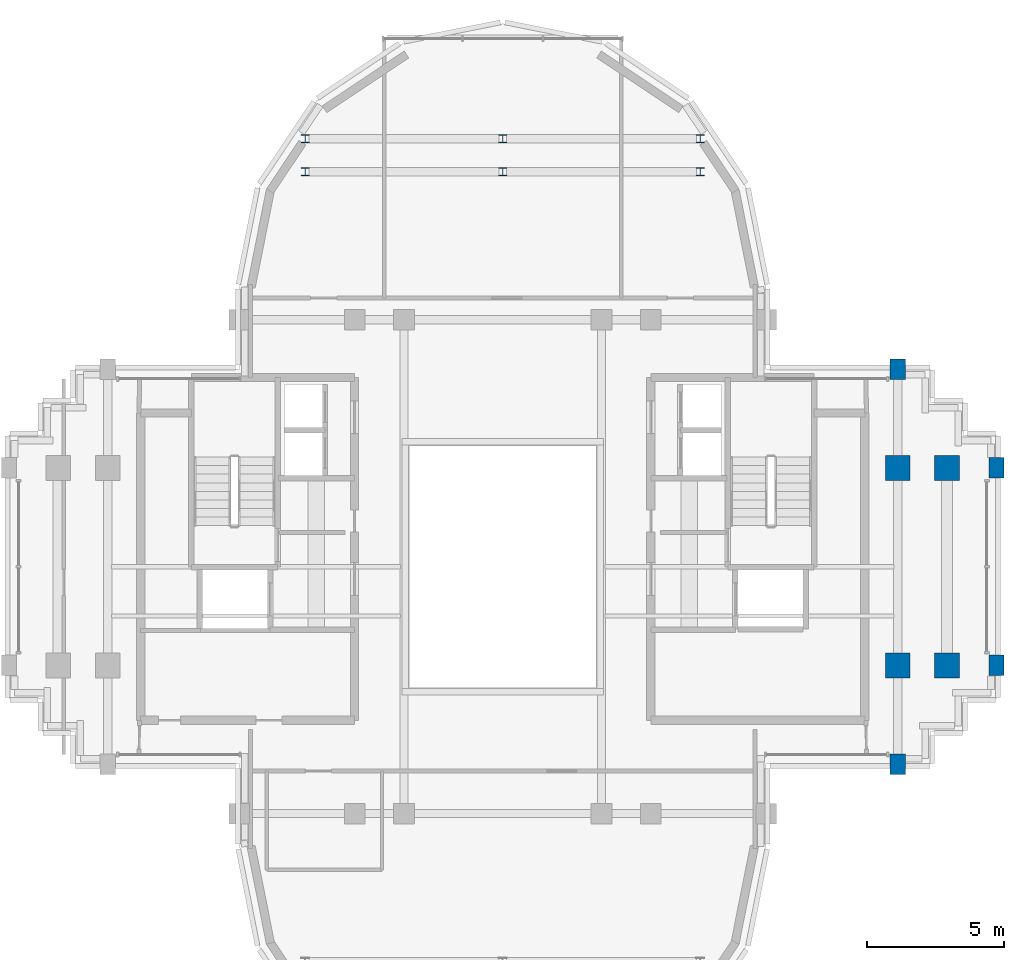
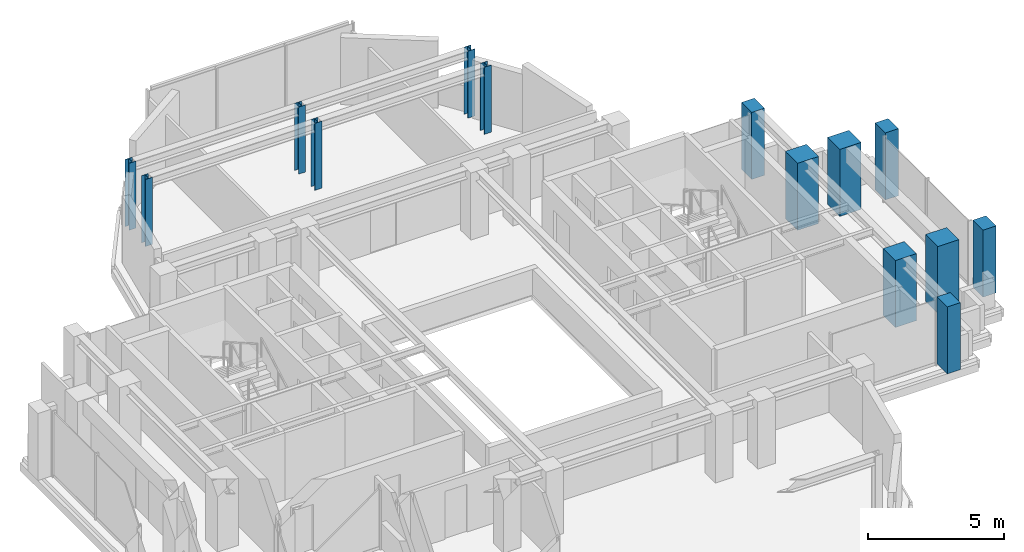
# One storey, part 2 of 12: 14 columns.
"""IFC4 building model written with IfcOpenShell, lengths in metres."""

from ifc_helpers import new_model, si_unit, direction, frame, origin, origin_2d, place, context, subcontext, project, spatial, rectangle, i_section, extrude, source, transform, mapped, material, material_profile, profile_set, type_object, element, save


model = new_model("IFC4")

# Units and contexts
model_context = context("Model", 3, precision=1e-05, world=origin(), true_north=direction((0.0, 1.0)))
body_context = subcontext(model_context, "Body", "Model", "MODEL_VIEW")
ifc_project = project(units=[si_unit("LENGTHUNIT", "METRE"), si_unit("AREAUNIT", "SQUARE_METRE"), si_unit("VOLUMEUNIT", "CUBIC_METRE"), si_unit("PLANEANGLEUNIT", "RADIAN"), si_unit("MASSUNIT", "GRAM", prefix="KILO")], contexts=[model_context])

# Site, building, storey
site_placement = place(None, origin())
site = spatial("IfcSite", under=ifc_project, at=site_placement, CompositionType="ELEMENT")
building_placement = place(site_placement, origin())
building = spatial("IfcBuilding", under=site, at=building_placement, Name="Keilestroom Media Tower", CompositionType="ELEMENT")
storey_placement = place(building_placement, frame((0.0, 0.0, 249.199951171875)))
storey = spatial("IfcBuildingStorey", under=building, at=storey_placement, Name="L69", CompositionType="ELEMENT", Elevation=249.199951171875)

# Columns
ifc_material_1 = material(Name="Precast concrete C40/50", Category="concrete")
ifc_material_profile_1 = material_profile(ifc_material_1, rectangle(XDim=0.550048828125, YDim=0.75, at=origin_2d()), Name="PC 750x550")
ifc_profile_set_1 = profile_set([ifc_material_profile_1], Name="Precast concrete C40/50")
column_type_1 = type_object("IfcColumnType", Name="Structural-Column-PC-750x550", PredefinedType="COLUMN", material=ifc_profile_set_1)
shared_shape_1 = source(origin(), body_context, "Body", "SweptSolid", [
    extrude(rectangle(XDim=0.550048828125, YDim=0.75, at=origin_2d()), origin(), (0.0, 0.0, 1.0), 3.010009765625),
])
for number, where, z_axis, x_axis, name in (
    (1, (14.39990234375, -7.199951171875, 0.0), (0.0, 0.0, 1.0), (1.0, 0.0, 0.0), "L69 Column PC-3 (+14.4,-7.2)"),
    (2, (14.39990234375, 7.199951171875, 0.0), (0.0, 0.0, 1.0), (1.0, 0.0, 0.0), "L69 Column PC-3 (+14.4,+7.2)"),
    (3, (18.0, -3.60009765625, 0.0), (0.0, 0.0, 1.0), (1.0, 0.0, 0.0), "L69 Column PC-3 (+18.0,-3.6)"),
    (4, (18.0, 3.60009765625, 0.0), (0.0, 0.0, 1.0), (1.0, 0.0, 0.0), "L69 Column PC-3 (+18.0,+3.6)"),
):
    element("IfcColumn", number, at=place(storey_placement, frame(where, z_axis=z_axis, x_axis=x_axis)), inside=storey, type_object=column_type_1, Name=name, PredefinedType="COLUMN", context=body_context, shape_type="MappedRepresentation", body=[
        mapped(shared_shape_1, transform((0.0, 0.0, 0.0), x_axis=(1.0, 0.0, 0.0), y_axis=(0.0, 1.0, 0.0), z_axis=(0.0, 0.0, 1.0), scale=1.0)),
    ])
ifc_material_2 = material(Name="Concrete C55/67", Category="concrete")
ifc_material_profile_2 = material_profile(ifc_material_2, rectangle(XDim=0.89990234375, YDim=0.89990234375, at=origin_2d()), Name="RC 900x900")
ifc_profile_set_2 = profile_set([ifc_material_profile_2], Name="Concrete C55/67")
column_type_2 = type_object("IfcColumnType", Name="Structural-Column-RC-900x900", PredefinedType="COLUMN", material=ifc_profile_set_2)
shared_shape_2 = source(origin(), body_context, "Body", "SweptSolid", [
    extrude(rectangle(XDim=0.89990234375, YDim=0.89990234375, at=origin_2d()), origin(), (0.0, 0.0, 1.0), 3.010009765625),
])
for number, where, z_axis, x_axis, name in (
    (5, (14.39990234375, -3.60009765625, 0.0), (0.0, 0.0, 1.0), (1.0, 0.0, 0.0), "L69 Column MC-4 (+14.4,-3.6)"),
    (6, (14.39990234375, 3.60009765625, 0.0), (0.0, 0.0, 1.0), (1.0, 0.0, 0.0), "L69 Column MC-4 (+14.4,+3.6)"),
    (7, (16.199951171875, -3.60009765625, 0.0), (0.0, 0.0, 1.0), (1.0, 0.0, 0.0), "L69 Column MC-4 (+16.2,-3.6)"),
    (8, (16.199951171875, 3.60009765625, 0.0), (0.0, 0.0, 1.0), (1.0, 0.0, 0.0), "L69 Column MC-4 (+16.2,+3.6)"),
):
    element("IfcColumn", number, at=place(storey_placement, frame(where, z_axis=z_axis, x_axis=x_axis)), inside=storey, type_object=column_type_2, Name=name, PredefinedType="COLUMN", context=body_context, shape_type="MappedRepresentation", body=[
        mapped(shared_shape_2, transform((0.0, 0.0, 0.0), x_axis=(1.0, 0.0, 0.0), y_axis=(0.0, 1.0, 0.0), z_axis=(0.0, 0.0, 1.0), scale=1.0)),
    ])
ifc_material_3 = material(Name="Steel S355", Category="steel")
ifc_material_profile_3 = material_profile(ifc_material_3, i_section(OverallWidth=0.300048828125, OverallDepth=0.300048828125, WebThickness=0.010986328125, FlangeThickness=0.01904296875, at=origin_2d()), Name="HEB 300")
ifc_profile_set_3 = profile_set([ifc_material_profile_3], Name="Steel S355")
column_type_3 = type_object("IfcColumnType", Name="Structural-Column-HEB-300", PredefinedType="COLUMN", material=ifc_profile_set_3)
shared_shape_3 = source(origin(), body_context, "Body", "SweptSolid", [
    extrude(i_section(OverallWidth=0.300048828125, OverallDepth=0.300048828125, WebThickness=0.010986328125, FlangeThickness=0.01904296875, at=origin_2d()), origin(), (0.0, 0.0, 1.0), 3.010009765625),
])
for number, where, z_axis, x_axis, name in (
    (9, (-7.199951171875, 14.39990234375, 0.0), (0.0, 0.0, 1.0), (1.0, 0.0, 0.0), "L69 Column SC-5 (-7.2,+14.4)"),
    (10, (-7.199951171875, 15.60009765625, 0.0), (0.0, 0.0, 1.0), (1.0, 0.0, 0.0), "L69 Column SC-5 (-7.2,+15.6)"),
    (11, (0.0, 14.39990234375, 0.0), (0.0, 0.0, 1.0), (1.0, 0.0, 0.0), "L69 Column SC-5 (+0.0,+14.4)"),
    (12, (0.0, 15.60009765625, 0.0), (0.0, 0.0, 1.0), (1.0, 0.0, 0.0), "L69 Column SC-5 (+0.0,+15.6)"),
    (13, (7.199951171875, 14.39990234375, 0.0), (0.0, 0.0, 1.0), (1.0, 0.0, 0.0), "L69 Column SC-5 (+7.2,+14.4)"),
    (14, (7.199951171875, 15.60009765625, 0.0), (0.0, 0.0, 1.0), (1.0, 0.0, 0.0), "L69 Column SC-5 (+7.2,+15.6)"),
):
    element("IfcColumn", number, at=place(storey_placement, frame(where, z_axis=z_axis, x_axis=x_axis)), inside=storey, type_object=column_type_3, Name=name, PredefinedType="COLUMN", context=body_context, shape_type="MappedRepresentation", body=[
        mapped(shared_shape_3, transform((0.0, 0.0, 0.0), x_axis=(1.0, 0.0, 0.0), y_axis=(0.0, 1.0, 0.0), z_axis=(0.0, 0.0, 1.0), scale=1.0)),
    ])

save(model, "model.ifc")
